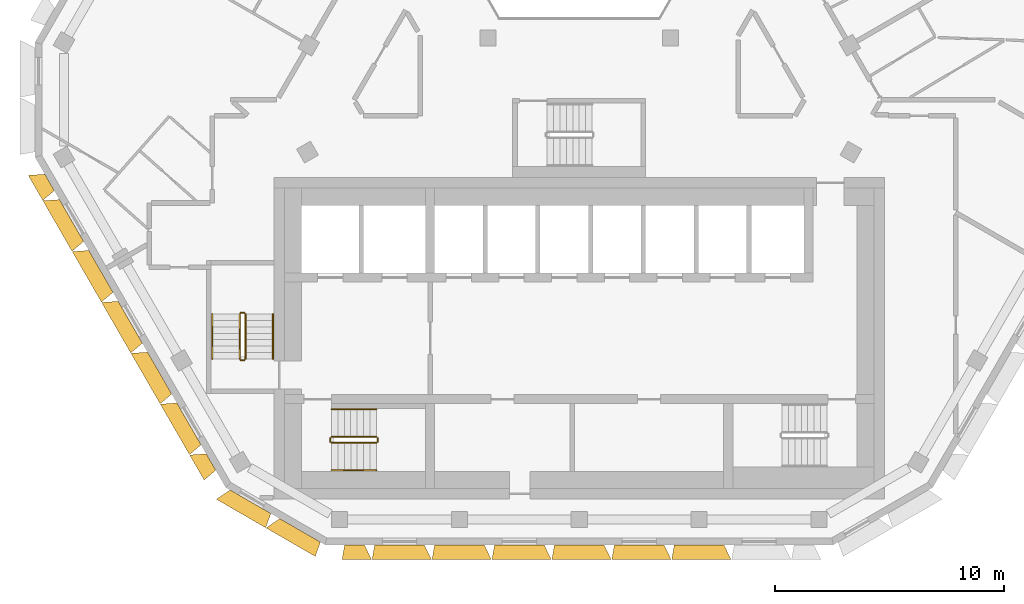
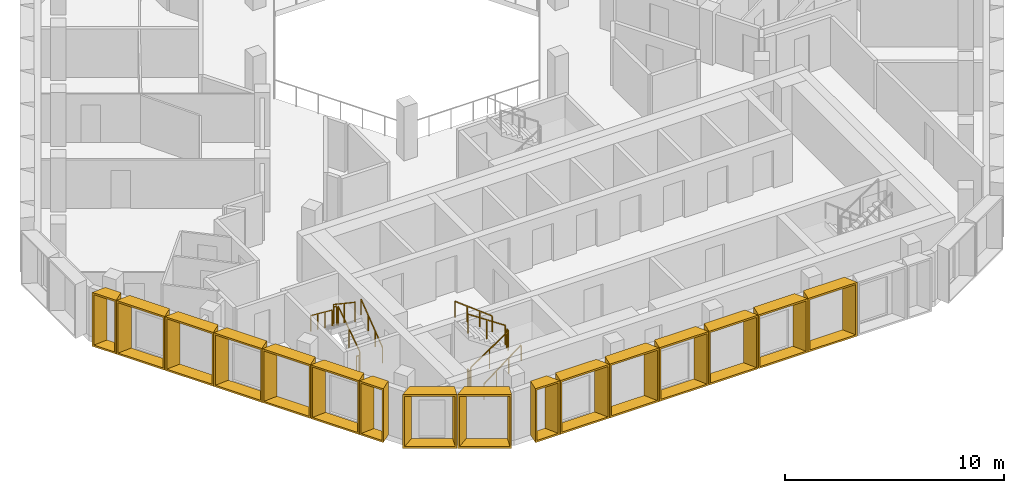
# One storey, part 10 of 14: 16 shading devices, 12 railings.
"""IFC4 building model written with IfcOpenShell, lengths in metres."""

import ifcopenshell
import ifcopenshell.guid

model = None  # the IFC model being written
_history = None  # IfcOwnerHistory: only IFC2X3 demands one
_inside = {}  # id of a spatial element -> (the spatial element, [elements in it])
_under = {}  # id of a project, library or spatial element -> (it, [spatial elements below it])
_declared = {}  # id of a project -> (the project, [libraries it declares])
_typed = {}  # id of a type object -> (the type object, [elements of that type])
_made_of = {}  # id of a material, layer set ... -> (it, [elements and type objects made of it])


def new_model(schema):
    """Start an empty IFC model of exactly this schema.

    Asked for "IFC4X3", IfcOpenShell would pick the latest addendum, in which some entities
    have other attributes; the version numbers below select the first issue.
    IFC2X3 requires an IfcOwnerHistory on every rooted entity: one is made here for all.
    """
    global model, _history
    if schema == "IFC4X3":
        model = ifcopenshell.file(schema_version=(4, 3, 0, 0))
    else:
        model = ifcopenshell.file(schema=schema)
    _inside.clear()
    _under.clear()
    _declared.clear()
    _typed.clear()
    _made_of.clear()
    _history = None
    if model.schema == "IFC2X3":
        org = make("IfcOrganization", Name="unknown")
        user = make(
            "IfcPersonAndOrganization",
            ThePerson=make("IfcPerson", FamilyName="unknown"),
            TheOrganization=org,
        )
        app = make(
            "IfcApplication",
            ApplicationDeveloper=org,
            Version="unknown",
            ApplicationFullName="unknown",
            ApplicationIdentifier="unknown",
        )
        _history = make(
            "IfcOwnerHistory",
            OwningUser=user,
            OwningApplication=app,
            ChangeAction="ADDED",
            CreationDate=0,
        )
    return model


def make(cls, **values):
    """One entity of the class cls with the attributes given. An attribute that is None is left unset."""
    return model.create_entity(
        cls, **{name: value for name, value in values.items() if value is not None}
    )


def entity(cls, *values):
    """Any entity or typed value of the class cls, its attributes in the order of the schema. None: left unset."""
    e = model.create_entity(cls)
    for i, value in enumerate(values):
        if value is not None:
            e[i] = value
    return e


def rooted(cls, **values):
    """An entity with a GlobalId (a new one), such as an element, a storey or a relation."""
    return make(cls, GlobalId=ifcopenshell.guid.new(), OwnerHistory=_history, **values)


def si_unit(unit_type, name, prefix=None):
    """IfcSIUnit, for example si_unit("LENGTHUNIT", "METRE", prefix="MILLI")."""
    return make("IfcSIUnit", UnitType=unit_type, Prefix=prefix, Name=name)


def assignment(units):
    """IfcUnitAssignment: the units of a project."""
    return None if units is None else make("IfcUnitAssignment", Units=units)


def point(xyz):
    """IfcCartesianPoint."""
    return None if xyz is None else make("IfcCartesianPoint", Coordinates=xyz)


def direction(xyz):
    """IfcDirection."""
    return None if xyz is None else make("IfcDirection", DirectionRatios=xyz)


def frame(location, z_axis=None, x_axis=None):
    """IfcAxis2Placement3D, a coordinate frame: its origin and axes. An axis left out is left unset."""
    return make(
        "IfcAxis2Placement3D",
        Location=point(location),
        Axis=direction(z_axis),
        RefDirection=direction(x_axis),
    )


def frame_2d(location, x_axis=None):
    """IfcAxis2Placement2D, a coordinate frame in the plane: its origin and x axis."""
    return make(
        "IfcAxis2Placement2D", Location=point(location), RefDirection=direction(x_axis)
    )


def origin():
    """The frame at (0, 0, 0) with its axes left unset."""
    return frame((0.0, 0.0, 0.0))


def origin_2d():
    """The frame at (0, 0) in the plane with its x axis left unset."""
    return frame_2d((0.0, 0.0))


def place(relative_to, where):
    """IfcLocalPlacement: puts the frame where relative to a parent placement (None: the world)."""
    return make(
        "IfcLocalPlacement", PlacementRelTo=relative_to, RelativePlacement=where
    )


def context(
    kind, dimensions, precision=None, world=None, true_north=None, identifier=None
):
    """IfcGeometricRepresentationContext, for example the 3D "Model" context."""
    return make(
        "IfcGeometricRepresentationContext",
        ContextIdentifier=identifier,
        ContextType=kind,
        CoordinateSpaceDimension=dimensions,
        Precision=precision,
        WorldCoordinateSystem=world,
        TrueNorth=true_north,
    )


def subcontext(parent, identifier, kind, view, scale=None):
    """IfcGeometricRepresentationSubContext, for example "Body" below "Model"."""
    return make(
        "IfcGeometricRepresentationSubContext",
        ContextIdentifier=identifier,
        ContextType=kind,
        ParentContext=parent,
        TargetScale=scale,
        TargetView=view,
    )


def project(units=None, contexts=None):
    """IfcProject with its units and contexts."""
    return rooted(
        "IfcProject",
        Name="project",
        RepresentationContexts=contexts,
        UnitsInContext=assignment(units),
    )


def spatial(cls, under=None, at=None, **own):
    """A site, building, storey or space (cls), placed at a placement, below another one or the project."""
    s = rooted(cls, ObjectPlacement=at, **own)
    if under is not None:
        _under.setdefault(under.id(), (under, []))[1].append(s)
    return s


def profile(cls, at=None, kind="AREA", **sizes):
    """A parametric profile (cls). Its sizes go by their IFC names, for example OverallWidth=200.0."""
    return make(cls, ProfileType=kind, Position=at, **sizes)


def rectangle(**sizes):
    """IfcRectangleProfileDef."""
    return profile("IfcRectangleProfileDef", **sizes)


def extrude(swept, where, along, depth):
    """IfcExtrudedAreaSolid: the profile swept, set in the frame where, extruded along a direction by depth."""
    return make(
        "IfcExtrudedAreaSolid",
        SweptArea=swept,
        Position=where,
        ExtrudedDirection=direction(along),
        Depth=depth,
    )


def shape(context_of_items, identifier, shape_type, items):
    """IfcShapeRepresentation: the items that make up one representation, for example the "Body"."""
    return make(
        "IfcShapeRepresentation",
        ContextOfItems=context_of_items,
        RepresentationIdentifier=identifier,
        RepresentationType=shape_type,
        Items=items,
    )


def source(mapping_origin, context_of_items, identifier, shape_type, items):
    """IfcRepresentationMap: a shape defined once, which mapped items show again and again."""
    return make(
        "IfcRepresentationMap",
        MappingOrigin=mapping_origin,
        MappedRepresentation=shape(context_of_items, identifier, shape_type, items),
    )


def transform(
    local_origin,
    x_axis=None,
    y_axis=None,
    z_axis=None,
    scale=None,
    scale2=None,
    scale3=None,
    uniform=True,
):
    """IfcCartesianTransformationOperator3D, or its non-uniform kind. x_axis, y_axis, z_axis: its Axis1, 2, 3."""
    if uniform:
        return make(
            "IfcCartesianTransformationOperator3D",
            Axis1=direction(x_axis),
            Axis2=direction(y_axis),
            LocalOrigin=point(local_origin),
            Scale=scale,
            Axis3=direction(z_axis),
        )
    return make(
        "IfcCartesianTransformationOperator3DnonUniform",
        Axis1=direction(x_axis),
        Axis2=direction(y_axis),
        LocalOrigin=point(local_origin),
        Scale=scale,
        Axis3=direction(z_axis),
        Scale2=scale2,
        Scale3=scale3,
    )


def mapped(mapping_source, mapping_target):
    """IfcMappedItem: shows the shape of a source again, moved by a transform."""
    return make(
        "IfcMappedItem", MappingSource=mapping_source, MappingTarget=mapping_target
    )


def material(Name=None, Category=None):
    """IfcMaterial."""
    return make("IfcMaterial", Name=Name, Category=Category)


def made_of(thing, what):
    """Note that an element or type object is made of a material, layer set ...; save() writes the relation."""
    if what is not None:
        _made_of.setdefault(what.id(), (what, []))[1].append(thing)
    return thing


def type_object(cls, material=None, **own):
    """A type object (cls), such as IfcWallType, which elements share."""
    return made_of(rooted(cls, **own), material)


def type_shapes(of_type, sources):
    """Give a type object the sources (RepresentationMaps) that its elements show as mapped items."""
    of_type.RepresentationMaps = sources


def element(
    cls,
    number,
    at=None,
    inside=None,
    cuts=None,
    type_object=None,
    material=None,
    context=None,
    identifier="Body",
    shape_type=None,
    held_by="IfcProductDefinitionShape",
    body=None,
    shapes=None,
    **own,
):
    """One element of the class cls, such as IfcWall. Its Tag is "e" and its number.

    at: its placement. inside: the storey or other place that contains it. cuts: it is an
    opening in that element (IfcRelVoidsElement). A single representation is given by context,
    identifier, shape_type and body (its items); several are given by shapes. held_by: the class
    of the entity that holds the representations. save() writes the other relations.
    """
    e = rooted(cls, Tag="e%d" % number, ObjectPlacement=at, **own)
    if body is not None:
        shapes = [shape(context, identifier, shape_type, body)]
    if shapes is not None:
        e.Representation = make(held_by, Representations=shapes)
    if inside is not None:
        _inside.setdefault(inside.id(), (inside, []))[1].append(e)
    if cuts is not None:
        rooted(
            "IfcRelVoidsElement", RelatingBuildingElement=cuts, RelatedOpeningElement=e
        )
    if type_object is not None:
        _typed.setdefault(type_object.id(), (type_object, []))[1].append(e)
    return made_of(e, material)


def aggregate(whole, parts):
    """IfcRelAggregates: a whole, such as a stair, and the parts it consists of."""
    return rooted("IfcRelAggregates", RelatingObject=whole, RelatedObjects=parts)


def save(model, path):
    """Write the relations noted so far, then the file.

    IfcRelAggregates (storeys below a building ...), IfcRelContainedInSpatialStructure (elements
    in a storey), IfcRelDefinesByType, IfcRelAssociatesMaterial and IfcRelDeclares: one each for
    every whole, place, type object, material and project.
    """
    for whole, parts in _under.values():
        aggregate(whole, parts)
    for where, things in _inside.values():
        rooted(
            "IfcRelContainedInSpatialStructure",
            RelatedElements=things,
            RelatingStructure=where,
        )
    for kind, things in _typed.values():
        rooted("IfcRelDefinesByType", RelatedObjects=things, RelatingType=kind)
    for what, things in _made_of.values():
        rooted("IfcRelAssociatesMaterial", RelatedObjects=things, RelatingMaterial=what)
    for by, libraries in _declared.values():
        rooted("IfcRelDeclares", RelatingContext=by, RelatedDefinitions=libraries)
    model.write(path)


model = new_model("IFC4")

# Units and contexts
model_context = context("Model", 3, precision=1e-05, world=origin(), true_north=direction((0.0, 1.0)))
body_context = subcontext(model_context, "Body", "Model", "MODEL_VIEW")
ifc_project = project(units=[si_unit("LENGTHUNIT", "METRE"), si_unit("AREAUNIT", "SQUARE_METRE"), si_unit("VOLUMEUNIT", "CUBIC_METRE"), si_unit("PLANEANGLEUNIT", "RADIAN"), si_unit("MASSUNIT", "GRAM", prefix="KILO")], contexts=[model_context])

# Site, building, storey
site_placement = place(None, origin())
site = spatial("IfcSite", under=ifc_project, at=site_placement, CompositionType="ELEMENT")
building_placement = place(site_placement, origin())
building = spatial("IfcBuilding", under=site, at=building_placement, Name="Beryl Residences", CompositionType="ELEMENT")
storey_placement = place(building_placement, frame((0.0, 0.0, 235.800048828125)))
storey = spatial("IfcBuildingStorey", under=building, at=storey_placement, Name="L73", CompositionType="ELEMENT", Elevation=235.800048828125)

# Shading devices
ifc_material_1 = material(Name="Aluminium pale anodised", Category="aluminium")
shading_device_type_1 = type_object("IfcShadingDeviceType", Name="FR128-65B OUTER SKIN frame 650 mm deep, splay 26/10 deg, 1280 x 3000 mm cell", PredefinedType="USERDEFINED", material=ifc_material_1)
cartesian_point_1 = entity("IfcCartesianPoint", [-0.4140625, 0.0])
cartesian_point_2 = entity("IfcCartesianPoint", [-0.324951171875, 0.10009765625])
cartesian_point_3 = entity("IfcCartesianPoint", [-0.73095703125, 0.0])
cartesian_point_4 = entity("IfcCartesianPoint", [-0.64208984375, 0.10009765625])
shared_shape_1 = source(origin(), body_context, "Body", "SweptSolid", [
    entity("IfcExtrudedAreaSolidTapered", entity("IfcArbitraryProfileDefWithVoids", "AREA", None, entity("IfcPolyline", [cartesian_point_1, entity("IfcCartesianPoint", [0.4140625, 0.0]), entity("IfcCartesianPoint", [0.4140625, 3.0]), entity("IfcCartesianPoint", [-0.4140625, 3.0]), cartesian_point_1]), [entity("IfcPolyline", [cartesian_point_2, entity("IfcCartesianPoint", [0.332763671875, 0.10009765625]), entity("IfcCartesianPoint", [0.332763671875, 2.89990234375]), entity("IfcCartesianPoint", [-0.324951171875, 2.89990234375]), cartesian_point_2])]), entity("IfcAxis2Placement3D", entity("IfcCartesianPoint", [0.0, 0.0, 0.0]), entity("IfcDirection", [0.0, 1.0, 0.0]), entity("IfcDirection", [-1.0, 0.0, 0.0])), entity("IfcDirection", [0.0, 0.0, 1.0]), 0.64990234375, entity("IfcArbitraryProfileDefWithVoids", "AREA", None, entity("IfcPolyline", [cartesian_point_3, entity("IfcCartesianPoint", [0.528564453125, 0.0]), entity("IfcCartesianPoint", [0.528564453125, 3.0]), entity("IfcCartesianPoint", [-0.73095703125, 3.0]), cartesian_point_3]), [entity("IfcPolyline", [cartesian_point_4, entity("IfcCartesianPoint", [0.447265625, 0.10009765625]), entity("IfcCartesianPoint", [0.447265625, 2.89990234375]), entity("IfcCartesianPoint", [-0.64208984375, 2.89990234375]), cartesian_point_4])])),
])
type_shapes(shading_device_type_1, [shared_shape_1])
for number, where, z_axis, x_axis, name in (
    (1, (-23.091064453125, -5.2041015625, 0.0), (0.0, 0.0, 1.0), (-0.5, 0.866025403784, 0.0), "FR128-65B frame L73 SW 1"),
    (2, (-16.052978515625, -17.39501953125, 0.0), (0.0, 0.0, 1.0), (-0.5, 0.866025403784, 0.0), "FR128-65B frame L73 SW 7"),
):
    element("IfcShadingDevice", number, at=place(storey_placement, frame(where, z_axis=z_axis, x_axis=x_axis)), inside=storey, type_object=shading_device_type_1, Name=name, ObjectType="OUTER SKIN", PredefinedType="USERDEFINED", context=body_context, shape_type="MappedRepresentation", body=[
        mapped(shared_shape_1, transform((0.0, 0.0, 0.0))),
    ])
ifc_material_2 = material(Name="Aluminium pale anodised", Category="aluminium")
shading_device_type_2 = type_object("IfcShadingDeviceType", Name="FR131-65C OUTER SKIN frame 650 mm deep, splay 10/26 deg, 1310 x 3000 mm cell", PredefinedType="USERDEFINED", material=ifc_material_2)
cartesian_point_5 = entity("IfcCartesianPoint", [-0.428955078125, 0.0])
cartesian_point_6 = entity("IfcCartesianPoint", [-0.34765625, 0.10009765625])
cartesian_point_7 = entity("IfcCartesianPoint", [-0.543701171875, 0.0])
cartesian_point_8 = entity("IfcCartesianPoint", [-0.46240234375, 0.10009765625])
shared_shape_2 = source(origin(), body_context, "Body", "SweptSolid", [
    entity("IfcExtrudedAreaSolidTapered", entity("IfcArbitraryProfileDefWithVoids", "AREA", None, entity("IfcPolyline", [cartesian_point_5, entity("IfcCartesianPoint", [0.428955078125, 0.0]), entity("IfcCartesianPoint", [0.428955078125, 3.0]), entity("IfcCartesianPoint", [-0.428955078125, 3.0]), cartesian_point_5]), [entity("IfcPolyline", [cartesian_point_6, entity("IfcCartesianPoint", [0.340087890625, 0.10009765625]), entity("IfcCartesianPoint", [0.340087890625, 2.89990234375]), entity("IfcCartesianPoint", [-0.34765625, 2.89990234375]), cartesian_point_6])]), entity("IfcAxis2Placement3D", entity("IfcCartesianPoint", [0.0, 0.0, 0.0]), entity("IfcDirection", [0.0, 1.0, 0.0]), entity("IfcDirection", [-1.0, 0.0, 0.0])), entity("IfcDirection", [0.0, 0.0, 1.0]), 0.64990234375, entity("IfcArbitraryProfileDefWithVoids", "AREA", None, entity("IfcPolyline", [cartesian_point_7, entity("IfcCartesianPoint", [0.74609375, 0.0]), entity("IfcCartesianPoint", [0.74609375, 3.0]), entity("IfcCartesianPoint", [-0.543701171875, 3.0]), cartesian_point_7]), [entity("IfcPolyline", [cartesian_point_8, entity("IfcCartesianPoint", [0.656982421875, 0.10009765625]), entity("IfcCartesianPoint", [0.656982421875, 2.89990234375]), entity("IfcCartesianPoint", [-0.46240234375, 2.89990234375]), cartesian_point_8])])),
])
type_shapes(shading_device_type_2, [shared_shape_2])
shading_device_placement = place(storey_placement, frame((-9.797119140625, -21.0, 0.0), z_axis=(0.0, 0.0, 1.0), x_axis=(-1.0, 0.0, 0.0)))
element("IfcShadingDevice", 3, at=shading_device_placement, inside=storey, type_object=shading_device_type_2, Name="FR131-65C frame L73 S 1", ObjectType="OUTER SKIN", PredefinedType="USERDEFINED", context=body_context, shape_type="MappedRepresentation", body=[
    mapped(shared_shape_2, transform((0.0, 0.0, 0.0))),
])
ifc_material_3 = material(Name="Aluminium pale anodised", Category="aluminium")
shading_device_type_3 = type_object("IfcShadingDeviceType", Name="FR250-65B OUTER SKIN frame 650 mm deep, splay 26/10 deg, 2500 x 3000 mm cell", PredefinedType="USERDEFINED", material=ifc_material_3)
cartesian_point_9 = entity("IfcCartesianPoint", [-1.02392578125, 0.0])
cartesian_point_10 = entity("IfcCartesianPoint", [-0.93505859375, 0.10009765625])
cartesian_point_11 = entity("IfcCartesianPoint", [-1.341064453125, 0.0])
cartesian_point_12 = entity("IfcCartesianPoint", [-1.251953125, 0.10009765625])
shared_shape_3 = source(origin(), body_context, "Body", "SweptSolid", [
    entity("IfcExtrudedAreaSolidTapered", entity("IfcArbitraryProfileDefWithVoids", "AREA", None, entity("IfcPolyline", [cartesian_point_9, entity("IfcCartesianPoint", [1.02392578125, 0.0]), entity("IfcCartesianPoint", [1.02392578125, 3.0]), entity("IfcCartesianPoint", [-1.02392578125, 3.0]), cartesian_point_9]), [entity("IfcPolyline", [cartesian_point_10, entity("IfcCartesianPoint", [0.94287109375, 0.10009765625]), entity("IfcCartesianPoint", [0.94287109375, 2.89990234375]), entity("IfcCartesianPoint", [-0.93505859375, 2.89990234375]), cartesian_point_10])]), entity("IfcAxis2Placement3D", entity("IfcCartesianPoint", [0.0, 0.0, 0.0]), entity("IfcDirection", [0.0, 1.0, 0.0]), entity("IfcDirection", [-1.0, 0.0, 0.0])), entity("IfcDirection", [0.0, 0.0, 1.0]), 0.64990234375, entity("IfcArbitraryProfileDefWithVoids", "AREA", None, entity("IfcPolyline", [cartesian_point_11, entity("IfcCartesianPoint", [1.138671875, 0.0]), entity("IfcCartesianPoint", [1.138671875, 3.0]), entity("IfcCartesianPoint", [-1.341064453125, 3.0]), cartesian_point_11]), [entity("IfcPolyline", [cartesian_point_12, entity("IfcCartesianPoint", [1.057373046875, 0.10009765625]), entity("IfcCartesianPoint", [1.057373046875, 2.89990234375]), entity("IfcCartesianPoint", [-1.251953125, 2.89990234375]), cartesian_point_12])])),
])
type_shapes(shading_device_type_3, [shared_shape_3])
for number, where, z_axis, x_axis, name in (
    (4, (-14.33203125, -19.125, 0.0), (0.0, 0.0, 1.0), (-0.866025403784, 0.5, 0.0), "FR250-65B frame L73 SW-S 1"),
    (5, (-12.16796875, -20.375, 0.0), (0.0, 0.0, 1.0), (-0.866025403784, 0.5, 0.0), "FR250-65B frame L73 SW-S 2"),
):
    element("IfcShadingDevice", number, at=place(storey_placement, frame(where, z_axis=z_axis, x_axis=x_axis)), inside=storey, type_object=shading_device_type_3, Name=name, ObjectType="OUTER SKIN", PredefinedType="USERDEFINED", context=body_context, shape_type="MappedRepresentation", body=[
        mapped(shared_shape_3, transform((0.0, 0.0, 0.0))),
    ])
ifc_material_4 = material(Name="Aluminium pale anodised", Category="aluminium")
shading_device_type_4 = type_object("IfcShadingDeviceType", Name="FR256-65B OUTER SKIN frame 650 mm deep, splay 26/10 deg, 2560 x 3000 mm cell", PredefinedType="USERDEFINED", material=ifc_material_4)
cartesian_point_13 = entity("IfcCartesianPoint", [-1.053955078125, 0.0])
cartesian_point_14 = entity("IfcCartesianPoint", [-0.965087890625, 0.10009765625])
cartesian_point_15 = entity("IfcCartesianPoint", [-1.37109375, 0.0])
cartesian_point_16 = entity("IfcCartesianPoint", [-1.281982421875, 0.10009765625])
shared_shape_4 = source(origin(), body_context, "Body", "SweptSolid", [
    entity("IfcExtrudedAreaSolidTapered", entity("IfcArbitraryProfileDefWithVoids", "AREA", None, entity("IfcPolyline", [cartesian_point_13, entity("IfcCartesianPoint", [1.053955078125, 0.0]), entity("IfcCartesianPoint", [1.053955078125, 3.0]), entity("IfcCartesianPoint", [-1.053955078125, 3.0]), cartesian_point_13]), [entity("IfcPolyline", [cartesian_point_14, entity("IfcCartesianPoint", [0.97265625, 0.10009765625]), entity("IfcCartesianPoint", [0.97265625, 2.89990234375]), entity("IfcCartesianPoint", [-0.965087890625, 2.89990234375]), cartesian_point_14])]), entity("IfcAxis2Placement3D", entity("IfcCartesianPoint", [0.0, 0.0, 0.0]), entity("IfcDirection", [0.0, 1.0, 0.0]), entity("IfcDirection", [-1.0, 0.0, 0.0])), entity("IfcDirection", [0.0, 0.0, 1.0]), 0.64990234375, entity("IfcArbitraryProfileDefWithVoids", "AREA", None, entity("IfcPolyline", [cartesian_point_15, entity("IfcCartesianPoint", [1.168701171875, 0.0]), entity("IfcCartesianPoint", [1.168701171875, 3.0]), entity("IfcCartesianPoint", [-1.37109375, 3.0]), cartesian_point_15]), [entity("IfcPolyline", [cartesian_point_16, entity("IfcCartesianPoint", [1.08740234375, 0.10009765625]), entity("IfcCartesianPoint", [1.08740234375, 2.89990234375]), entity("IfcCartesianPoint", [-1.281982421875, 2.89990234375]), cartesian_point_16])])),
])
type_shapes(shading_device_type_4, [shared_shape_4])
for number, where, z_axis, x_axis, name in (
    (6, (-22.132080078125, -6.865966796875, 0.0), (0.0, 0.0, 1.0), (-0.5, 0.866025403784, 0.0), "FR256-65B frame L73 SW 2"),
    (7, (-20.85205078125, -9.0830078125, 0.0), (0.0, 0.0, 1.0), (-0.5, 0.866025403784, 0.0), "FR256-65B frame L73 SW 3"),
    (8, (-19.572021484375, -11.300048828125, 0.0), (0.0, 0.0, 1.0), (-0.5, 0.866025403784, 0.0), "FR256-65B frame L73 SW 4"),
    (9, (-18.29296875, -13.51611328125, 0.0), (0.0, 0.0, 1.0), (-0.5, 0.866025403784, 0.0), "FR256-65B frame L73 SW 5"),
    (10, (-17.012939453125, -15.73291015625, 0.0), (0.0, 0.0, 1.0), (-0.5, 0.866025403784, 0.0), "FR256-65B frame L73 SW 6"),
):
    element("IfcShadingDevice", number, at=place(storey_placement, frame(where, z_axis=z_axis, x_axis=x_axis)), inside=storey, type_object=shading_device_type_4, Name=name, ObjectType="OUTER SKIN", PredefinedType="USERDEFINED", context=body_context, shape_type="MappedRepresentation", body=[
        mapped(shared_shape_4, transform((0.0, 0.0, 0.0))),
    ])
ifc_material_5 = material(Name="Aluminium pale anodised", Category="aluminium")
shading_device_type_5 = type_object("IfcShadingDeviceType", Name="FR261-65C OUTER SKIN frame 650 mm deep, splay 10/26 deg, 2610 x 3000 mm cell", PredefinedType="USERDEFINED", material=ifc_material_5)
cartesian_point_17 = entity("IfcCartesianPoint", [-1.0791015625, 0.0])
cartesian_point_18 = entity("IfcCartesianPoint", [-0.997802734375, 0.10009765625])
cartesian_point_19 = entity("IfcCartesianPoint", [-1.193603515625, 0.0])
cartesian_point_20 = entity("IfcCartesianPoint", [-1.1123046875, 0.10009765625])
shared_shape_5 = source(origin(), body_context, "Body", "SweptSolid", [
    entity("IfcExtrudedAreaSolidTapered", entity("IfcArbitraryProfileDefWithVoids", "AREA", None, entity("IfcPolyline", [cartesian_point_17, entity("IfcCartesianPoint", [1.0791015625, 0.0]), entity("IfcCartesianPoint", [1.0791015625, 3.0]), entity("IfcCartesianPoint", [-1.0791015625, 3.0]), cartesian_point_17]), [entity("IfcPolyline", [cartesian_point_18, entity("IfcCartesianPoint", [0.989990234375, 0.10009765625]), entity("IfcCartesianPoint", [0.989990234375, 2.89990234375]), entity("IfcCartesianPoint", [-0.997802734375, 2.89990234375]), cartesian_point_18])]), entity("IfcAxis2Placement3D", entity("IfcCartesianPoint", [0.0, 0.0, 0.0]), entity("IfcDirection", [0.0, 1.0, 0.0]), entity("IfcDirection", [-1.0, 0.0, 0.0])), entity("IfcDirection", [0.0, 0.0, 1.0]), 0.64990234375, entity("IfcArbitraryProfileDefWithVoids", "AREA", None, entity("IfcPolyline", [cartesian_point_19, entity("IfcCartesianPoint", [1.39599609375, 0.0]), entity("IfcCartesianPoint", [1.39599609375, 3.0]), entity("IfcCartesianPoint", [-1.193603515625, 3.0]), cartesian_point_19]), [entity("IfcPolyline", [cartesian_point_20, entity("IfcCartesianPoint", [1.30712890625, 0.10009765625]), entity("IfcCartesianPoint", [1.30712890625, 2.89990234375]), entity("IfcCartesianPoint", [-1.1123046875, 2.89990234375]), cartesian_point_20])])),
])
type_shapes(shading_device_type_5, [shared_shape_5])
for number, where, z_axis, x_axis, name in (
    (11, (-7.8369140625, -21.0, 0.0), (0.0, 0.0, 1.0), (-1.0, 0.0, 0.0), "FR261-65C frame L73 S 2"),
    (12, (-5.22509765625, -21.0, 0.0), (0.0, 0.0, 1.0), (-1.0, 0.0, 0.0), "FR261-65C frame L73 S 3"),
    (13, (-2.612060546875, -21.0, 0.0), (0.0, 0.0, 1.0), (-1.0, 0.0, 0.0), "FR261-65C frame L73 S 4"),
    (14, (0.0, -21.0, 0.0), (0.0, 0.0, 1.0), (-1.0, 0.0, 0.0), "FR261-65C frame L73 S 5"),
    (15, (2.612060546875, -21.0, 0.0), (0.0, 0.0, 1.0), (-1.0, 0.0, 0.0), "FR261-65C frame L73 S 6"),
    (16, (5.22509765625, -21.0, 0.0), (0.0, 0.0, 1.0), (-1.0, 0.0, 0.0), "FR261-65C frame L73 S 7"),
):
    element("IfcShadingDevice", number, at=place(storey_placement, frame(where, z_axis=z_axis, x_axis=x_axis)), inside=storey, type_object=shading_device_type_5, Name=name, ObjectType="OUTER SKIN", PredefinedType="USERDEFINED", context=body_context, shape_type="MappedRepresentation", body=[
        mapped(shared_shape_5, transform((0.0, 0.0, 0.0))),
    ])

# Railings
ifc_material_6 = material(Name="Stainless steel balustrade with glass infill", Category="steel")
railing_type_1 = type_object("IfcRailingType", Name="SG1 stair guard 1100 mm", PredefinedType="GUARDRAIL", material=ifc_material_6)
railing_1_placement = place(storey_placement, frame((-10.800048828125, -16.550048828125, 0.1875)))
element("IfcRailing", 17, at=railing_1_placement, inside=storey, type_object=railing_type_1, Name="L73 ST-1 stair guard 1", PredefinedType="GUARDRAIL", context=body_context, shape_type="SweptSolid", body=[
    extrude(rectangle(XDim=0.048095703125, YDim=0.048095703125, at=origin_2d()), frame((0.0, 0.0, 1.076171875), z_axis=(0.830902050051, 0.0, 0.556418712142), x_axis=(0.0, 1.0, 0.0)), (0.0, 0.0, 1.0), 2.35888671875),
    extrude(rectangle(XDim=0.0419921875, YDim=0.0419921875, at=origin_2d()), origin(), (0.0, 0.0, 1.0), 1.052001953125),
    extrude(rectangle(XDim=0.0419921875, YDim=0.0419921875, at=origin_2d()), frame((0.97998046875, 0.0, 0.65625)), (0.0, 0.0, 1.0), 1.052001953125),
    extrude(rectangle(XDim=0.0419921875, YDim=0.0419921875, at=origin_2d()), frame((1.9599609375, 0.0, 1.3125)), (0.0, 0.0, 1.0), 1.052001953125),
])
railing_2_placement = place(storey_placement, frame((-8.7900390625, -16.5, 1.5)))
element("IfcRailing", 18, at=railing_2_placement, inside=storey, type_object=railing_type_1, Name="L73 ST-1 stair guard 2", PredefinedType="GUARDRAIL", context=body_context, shape_type="SweptSolid", body=[
    extrude(rectangle(XDim=0.048095703125, YDim=0.048095703125, at=origin_2d()), frame((0.0, 0.0, 1.076171875), z_axis=(0.0, 1.0, 0.0), x_axis=(-1.0, 0.0, 0.0)), (0.0, 0.0, 1.0), 0.14990234375),
    extrude(rectangle(XDim=0.0419921875, YDim=0.0419921875, at=origin_2d()), origin(), (0.0, 0.0, 1.0), 1.052001953125),
    extrude(rectangle(XDim=0.0419921875, YDim=0.0419921875, at=origin_2d()), frame((0.0, 0.14990234375, 0.0)), (0.0, 0.0, 1.0), 1.052001953125),
])
railing_3_placement = place(storey_placement, frame((-8.840087890625, -16.300048828125, 1.6875)))
element("IfcRailing", 19, at=railing_3_placement, inside=storey, type_object=railing_type_1, Name="L73 ST-1 stair guard 3", PredefinedType="GUARDRAIL", context=body_context, shape_type="SweptSolid", body=[
    extrude(rectangle(XDim=0.048095703125, YDim=0.048095703125, at=origin_2d()), frame((0.0, 0.0, 1.076171875), z_axis=(-0.830902050051, 0.0, 0.556418712142), x_axis=(0.0, -1.0, 0.0)), (0.0, 0.0, 1.0), 2.35888671875),
    extrude(rectangle(XDim=0.0419921875, YDim=0.0419921875, at=origin_2d()), origin(), (0.0, 0.0, 1.0), 1.052001953125),
    extrude(rectangle(XDim=0.0419921875, YDim=0.0419921875, at=origin_2d()), frame((-0.97998046875, 0.0, 0.65625)), (0.0, 0.0, 1.0), 1.052001953125),
    extrude(rectangle(XDim=0.0419921875, YDim=0.0419921875, at=origin_2d()), frame((-1.9599609375, 0.0, 1.3125)), (0.0, 0.0, 1.0), 1.052001953125),
])
railing_4_placement = place(storey_placement, frame((-10.85009765625, -16.5, 0.0)))
element("IfcRailing", 20, at=railing_4_placement, inside=storey, type_object=railing_type_1, Name="L73 ST-1 stair guard 4", PredefinedType="GUARDRAIL", context=body_context, shape_type="SweptSolid", body=[
    extrude(rectangle(XDim=0.048095703125, YDim=0.048095703125, at=origin_2d()), frame((0.0, 0.0, 1.076171875), z_axis=(0.0, 1.0, 0.0), x_axis=(-1.0, 0.0, 0.0)), (0.0, 0.0, 1.0), 0.14990234375),
    extrude(rectangle(XDim=0.0419921875, YDim=0.0419921875, at=origin_2d()), origin(), (0.0, 0.0, 1.0), 1.052001953125),
    extrude(rectangle(XDim=0.0419921875, YDim=0.0419921875, at=origin_2d()), frame((0.0, 0.14990234375, 0.0)), (0.0, 0.0, 1.0), 1.052001953125),
])
railing_5_placement = place(storey_placement, frame((-14.550048828125, -12.89990234375, 0.1875)))
element("IfcRailing", 21, at=railing_5_placement, inside=storey, type_object=railing_type_1, Name="L73 ST-2 stair guard 1", PredefinedType="GUARDRAIL", context=body_context, shape_type="SweptSolid", body=[
    extrude(rectangle(XDim=0.048095703125, YDim=0.048095703125, at=origin_2d()), frame((0.0, 0.0, 1.076171875), z_axis=(0.0, 0.830902050051, 0.556418712142), x_axis=(-1.0, 0.0, 0.0)), (0.0, 0.0, 1.0), 2.35888671875),
    extrude(rectangle(XDim=0.0419921875, YDim=0.0419921875, at=origin_2d()), origin(), (0.0, 0.0, 1.0), 1.052001953125),
    extrude(rectangle(XDim=0.0419921875, YDim=0.0419921875, at=origin_2d()), frame((0.0, 0.97998046875, 0.65625)), (0.0, 0.0, 1.0), 1.052001953125),
    extrude(rectangle(XDim=0.0419921875, YDim=0.0419921875, at=origin_2d()), frame((0.0, 1.9599609375, 1.3125)), (0.0, 0.0, 1.0), 1.052001953125),
])
railing_6_placement = place(storey_placement, frame((-14.60009765625, -10.889892578125, 1.5)))
element("IfcRailing", 22, at=railing_6_placement, inside=storey, type_object=railing_type_1, Name="L73 ST-2 stair guard 2", PredefinedType="GUARDRAIL", context=body_context, shape_type="SweptSolid", body=[
    extrude(rectangle(XDim=0.048095703125, YDim=0.048095703125, at=origin_2d()), frame((0.0, 0.0, 1.076171875), z_axis=(-1.0, 0.0, 0.0), x_axis=(0.0, -1.0, 0.0)), (0.0, 0.0, 1.0), 0.14990234375),
    extrude(rectangle(XDim=0.0419921875, YDim=0.0419921875, at=origin_2d()), origin(), (0.0, 0.0, 1.0), 1.052001953125),
    extrude(rectangle(XDim=0.0419921875, YDim=0.0419921875, at=origin_2d()), frame((-0.14990234375, 0.0, 0.0)), (0.0, 0.0, 1.0), 1.052001953125),
])
railing_7_placement = place(storey_placement, frame((-14.800048828125, -10.93994140625, 1.6875)))
element("IfcRailing", 23, at=railing_7_placement, inside=storey, type_object=railing_type_1, Name="L73 ST-2 stair guard 3", PredefinedType="GUARDRAIL", context=body_context, shape_type="SweptSolid", body=[
    extrude(rectangle(XDim=0.048095703125, YDim=0.048095703125, at=origin_2d()), frame((0.0, 0.0, 1.076171875), z_axis=(0.0, -0.830902050051, 0.556418712142), x_axis=(1.0, 0.0, 0.0)), (0.0, 0.0, 1.0), 2.35888671875),
    extrude(rectangle(XDim=0.0419921875, YDim=0.0419921875, at=origin_2d()), origin(), (0.0, 0.0, 1.0), 1.052001953125),
    extrude(rectangle(XDim=0.0419921875, YDim=0.0419921875, at=origin_2d()), frame((0.0, -0.97998046875, 0.65625)), (0.0, 0.0, 1.0), 1.052001953125),
    extrude(rectangle(XDim=0.0419921875, YDim=0.0419921875, at=origin_2d()), frame((0.0, -1.9599609375, 1.3125)), (0.0, 0.0, 1.0), 1.052001953125),
])
railing_8_placement = place(storey_placement, frame((-14.60009765625, -12.949951171875, 0.0)))
element("IfcRailing", 24, at=railing_8_placement, inside=storey, type_object=railing_type_1, Name="L73 ST-2 stair guard 4", PredefinedType="GUARDRAIL", context=body_context, shape_type="SweptSolid", body=[
    extrude(rectangle(XDim=0.048095703125, YDim=0.048095703125, at=origin_2d()), frame((0.0, 0.0, 1.076171875), z_axis=(-1.0, 0.0, 0.0), x_axis=(0.0, -1.0, 0.0)), (0.0, 0.0, 1.0), 0.14990234375),
    extrude(rectangle(XDim=0.0419921875, YDim=0.0419921875, at=origin_2d()), origin(), (0.0, 0.0, 1.0), 1.052001953125),
    extrude(rectangle(XDim=0.0419921875, YDim=0.0419921875, at=origin_2d()), frame((-0.14990234375, 0.0, 0.0)), (0.0, 0.0, 1.0), 1.052001953125),
])
ifc_material_7 = material(Name="Stainless steel handrail", Category="steel")
railing_type_2 = type_object("IfcRailingType", Name="SRL1 stair handrail 900 mm", PredefinedType="HANDRAIL", material=ifc_material_7)
railing_9_placement = place(storey_placement, frame((-10.800048828125, -17.75, 0.1875)))
element("IfcRailing", 25, at=railing_9_placement, inside=storey, type_object=railing_type_2, Name="L73 ST-1 stair handrail 1", PredefinedType="HANDRAIL", context=body_context, shape_type="SweptSolid", body=[
    extrude(rectangle(XDim=0.048095703125, YDim=0.048095703125, at=origin_2d()), frame((0.0, 0.0, 0.8759765625), z_axis=(0.794121922505, 0.0, 0.607758481798), x_axis=(0.0, 1.0, 0.0)), (0.0, 0.0, 1.0), 2.468017578125),
    extrude(rectangle(XDim=0.0419921875, YDim=0.0419921875, at=origin_2d()), origin(), (0.0, 0.0, 1.0), 0.851806640625),
    extrude(rectangle(XDim=0.0419921875, YDim=0.0419921875, at=origin_2d()), frame((0.6533203125, 0.0, 0.5)), (0.0, 0.0, 1.0), 0.851806640625),
    extrude(rectangle(XDim=0.0419921875, YDim=0.0419921875, at=origin_2d()), frame((1.306640625, 0.0, 1.0)), (0.0, 0.0, 1.0), 0.851806640625),
    extrude(rectangle(XDim=0.0419921875, YDim=0.0419921875, at=origin_2d()), frame((1.9599609375, 0.0, 1.5)), (0.0, 0.0, 1.0), 0.851806640625),
])
railing_10_placement = place(storey_placement, frame((-8.840087890625, -15.10009765625, 1.6875)))
element("IfcRailing", 26, at=railing_10_placement, inside=storey, type_object=railing_type_2, Name="L73 ST-1 stair handrail 2", PredefinedType="HANDRAIL", context=body_context, shape_type="SweptSolid", body=[
    extrude(rectangle(XDim=0.048095703125, YDim=0.048095703125, at=origin_2d()), frame((0.0, 0.0, 0.8759765625), z_axis=(-0.794121922505, 0.0, 0.607758481798), x_axis=(0.0, -1.0, 0.0)), (0.0, 0.0, 1.0), 2.468017578125),
    extrude(rectangle(XDim=0.0419921875, YDim=0.0419921875, at=origin_2d()), origin(), (0.0, 0.0, 1.0), 0.851806640625),
    extrude(rectangle(XDim=0.0419921875, YDim=0.0419921875, at=origin_2d()), frame((-0.6533203125, 0.0, 0.5)), (0.0, 0.0, 1.0), 0.851806640625),
    extrude(rectangle(XDim=0.0419921875, YDim=0.0419921875, at=origin_2d()), frame((-1.306640625, 0.0, 1.0)), (0.0, 0.0, 1.0), 0.851806640625),
    extrude(rectangle(XDim=0.0419921875, YDim=0.0419921875, at=origin_2d()), frame((-1.9599609375, 0.0, 1.5)), (0.0, 0.0, 1.0), 0.851806640625),
])
railing_11_placement = place(storey_placement, frame((-13.35009765625, -12.89990234375, 0.1875)))
element("IfcRailing", 27, at=railing_11_placement, inside=storey, type_object=railing_type_2, Name="L73 ST-2 stair handrail 1", PredefinedType="HANDRAIL", context=body_context, shape_type="SweptSolid", body=[
    extrude(rectangle(XDim=0.048095703125, YDim=0.048095703125, at=origin_2d()), frame((0.0, 0.0, 0.8759765625), z_axis=(0.0, 0.794121922505, 0.607758481798), x_axis=(-1.0, 0.0, 0.0)), (0.0, 0.0, 1.0), 2.468017578125),
    extrude(rectangle(XDim=0.0419921875, YDim=0.0419921875, at=origin_2d()), origin(), (0.0, 0.0, 1.0), 0.851806640625),
    extrude(rectangle(XDim=0.0419921875, YDim=0.0419921875, at=origin_2d()), frame((0.0, 0.6533203125, 0.5)), (0.0, 0.0, 1.0), 0.851806640625),
    extrude(rectangle(XDim=0.0419921875, YDim=0.0419921875, at=origin_2d()), frame((0.0, 1.306640625, 1.0)), (0.0, 0.0, 1.0), 0.851806640625),
    extrude(rectangle(XDim=0.0419921875, YDim=0.0419921875, at=origin_2d()), frame((0.0, 1.9599609375, 1.5)), (0.0, 0.0, 1.0), 0.851806640625),
])
railing_12_placement = place(storey_placement, frame((-16.0, -10.93994140625, 1.6875)))
element("IfcRailing", 28, at=railing_12_placement, inside=storey, type_object=railing_type_2, Name="L73 ST-2 stair handrail 2", PredefinedType="HANDRAIL", context=body_context, shape_type="SweptSolid", body=[
    extrude(rectangle(XDim=0.048095703125, YDim=0.048095703125, at=origin_2d()), frame((0.0, 0.0, 0.8759765625), z_axis=(0.0, -0.794121922505, 0.607758481798), x_axis=(1.0, 0.0, 0.0)), (0.0, 0.0, 1.0), 2.468017578125),
    extrude(rectangle(XDim=0.0419921875, YDim=0.0419921875, at=origin_2d()), origin(), (0.0, 0.0, 1.0), 0.851806640625),
    extrude(rectangle(XDim=0.0419921875, YDim=0.0419921875, at=origin_2d()), frame((0.0, -0.6533203125, 0.5)), (0.0, 0.0, 1.0), 0.851806640625),
    extrude(rectangle(XDim=0.0419921875, YDim=0.0419921875, at=origin_2d()), frame((0.0, -1.306640625, 1.0)), (0.0, 0.0, 1.0), 0.851806640625),
    extrude(rectangle(XDim=0.0419921875, YDim=0.0419921875, at=origin_2d()), frame((0.0, -1.9599609375, 1.5)), (0.0, 0.0, 1.0), 0.851806640625),
])

save(model, "model.ifc")
